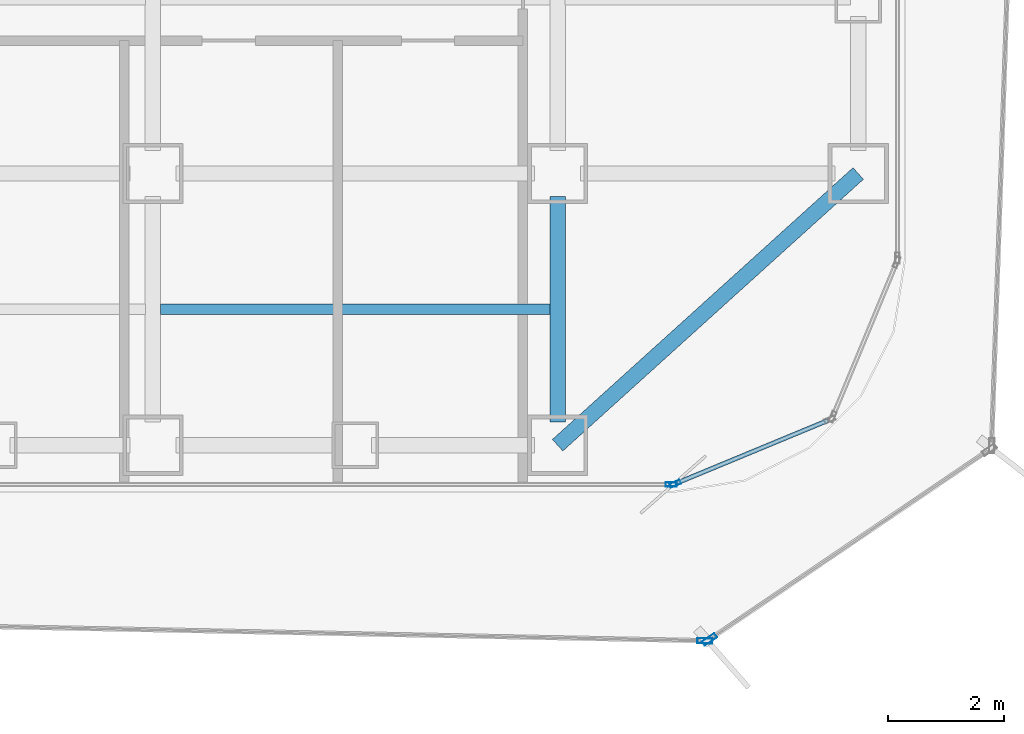
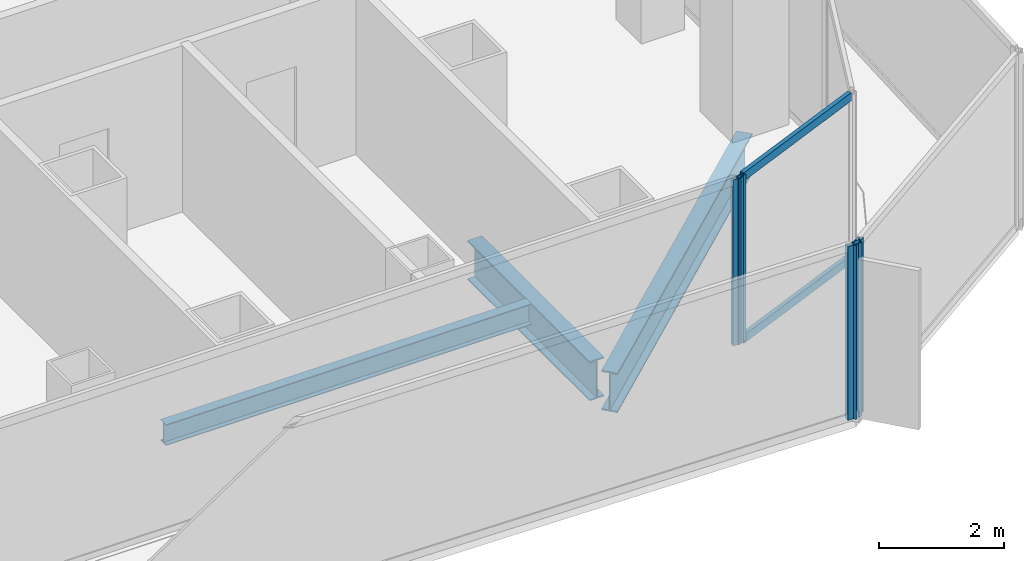
# One storey, part 6 of 22: 6 members, 3 beams, 4 elements without a shape of their own.
"""IFC4 building model written with IfcOpenShell, lengths in metres."""

from ifc_helpers import new_model, si_unit, direction, frame, origin, origin_2d, place, context, subcontext, project, spatial, hollow_rectangle, i_section, extrude, source, transform, mapped, material, layer, layer_set, material_profile, profile_set, type_object, element, aggregate, save


model = new_model("IFC4")

# Units and contexts
model_context = context("Model", 3, precision=1e-05, world=origin(), true_north=direction((0.0, 1.0)))
body_context = subcontext(model_context, "Body", "Model", "MODEL_VIEW")
ifc_project = project(units=[si_unit("LENGTHUNIT", "METRE"), si_unit("AREAUNIT", "SQUARE_METRE"), si_unit("VOLUMEUNIT", "CUBIC_METRE"), si_unit("PLANEANGLEUNIT", "RADIAN"), si_unit("MASSUNIT", "GRAM", prefix="KILO")], contexts=[model_context])

# Site, building, storey
site_placement = place(None, origin())
site = spatial("IfcSite", under=ifc_project, at=site_placement, CompositionType="ELEMENT")
building_placement = place(site_placement, origin())
building = spatial("IfcBuilding", under=site, at=building_placement, Name="Kolveth Station Tower", CompositionType="ELEMENT")
storey_placement = place(building_placement, frame((0.0, 0.0, 84.60009765625)))
storey = spatial("IfcBuildingStorey", under=building, at=storey_placement, Name="L22", CompositionType="ELEMENT", Elevation=84.60009765625)

# Beams
ifc_material_1 = material(Name="Steel S355", Category="steel")
ifc_material_profile_1 = material_profile(ifc_material_1, i_section(OverallWidth=0.26904296875, OverallDepth=0.77490234375, WebThickness=0.01708984375, FlangeThickness=0.0283203125, at=origin_2d()), Name="W760x220")
ifc_profile_set_1 = profile_set([ifc_material_profile_1], Name="Steel S355")
beam_type_1 = type_object("IfcBeamType", Name="Beam_SP1", PredefinedType="SPANDREL", material=ifc_profile_set_1)
shared_shape_1 = source(origin(), body_context, "Body", "SweptSolid", [
    extrude(i_section(OverallWidth=0.26904296875, OverallDepth=0.77490234375, WebThickness=0.01708984375, FlangeThickness=0.0283203125, at=origin_2d()), origin(), (0.0, 0.0, 1.0), 7.00927734375),
])
beam_1_placement = place(storey_placement, frame((41.0, 0.800048828125, -0.66748046875), z_axis=(0.741874009795, 0.670539300557, 0.0), x_axis=(-0.670539300557, 0.741874009795, 0.0)))
element("IfcBeam", 1, at=beam_1_placement, inside=storey, type_object=beam_type_1, Name="L22 Corner Edge Girder BM-L22-CNR-SE", PredefinedType="SPANDREL", context=body_context, shape_type="MappedRepresentation", body=[
    mapped(shared_shape_1, transform((0.0, 0.0, 0.0), x_axis=(1.0, 0.0, 0.0), y_axis=(0.0, 1.0, 0.0), z_axis=(0.0, 0.0, 1.0), scale=1.0)),
])
ifc_material_profile_2 = material_profile(ifc_material_1, i_section(OverallWidth=0.26708984375, OverallDepth=0.76611328125, WebThickness=0.014892578125, FlangeThickness=0.023681640625, at=origin_2d()), Name="W760x185")
ifc_profile_set_2 = profile_set([ifc_material_profile_2], Name="Steel S355")
beam_type_2 = type_object("IfcBeamType", Name="Beam_B3", PredefinedType="BEAM", material=ifc_profile_set_2)
shared_shape_2 = source(origin(), body_context, "Body", "SweptSolid", [
    extrude(i_section(OverallWidth=0.26708984375, OverallDepth=0.76611328125, WebThickness=0.014892578125, FlangeThickness=0.023681640625, at=origin_2d()), origin(), (0.0, 0.0, 1.0), 3.900146484375),
])
beam_2_placement = place(storey_placement, frame((41.0, 1.199951171875, -0.6630859375), z_axis=(0.0, 1.0, 0.0), x_axis=(-1.0, 0.0, 0.0)))
element("IfcBeam", 2, at=beam_2_placement, inside=storey, type_object=beam_type_2, Name="L22 Primary Girder BM-L22-GX410-1", PredefinedType="BEAM", context=body_context, shape_type="MappedRepresentation", body=[
    mapped(shared_shape_2, transform((0.0, 0.0, 0.0), x_axis=(1.0, 0.0, 0.0), y_axis=(0.0, 1.0, 0.0), z_axis=(0.0, 0.0, 1.0), scale=1.0)),
])
ifc_material_profile_3 = material_profile(ifc_material_1, i_section(OverallWidth=0.177978515625, OverallDepth=0.406982421875, WebThickness=0.0078125, FlangeThickness=0.0126953125, at=origin_2d()), Name="W410x60")
ifc_profile_set_3 = profile_set([ifc_material_profile_3], Name="Steel S355")
beam_type_3 = type_object("IfcBeamType", Name="Beam_J1", PredefinedType="JOIST", material=ifc_profile_set_3)
shared_shape_3 = source(origin(), body_context, "Body", "SweptSolid", [
    extrude(i_section(OverallWidth=0.177978515625, OverallDepth=0.406982421875, WebThickness=0.0078125, FlangeThickness=0.0126953125, at=origin_2d()), origin(), (0.0, 0.0, 1.0), 6.73681640625),
])
beam_3_placement = place(storey_placement, frame((34.131591796875, 3.14990234375, -0.483642578125), z_axis=(1.0, 0.0, 0.0), x_axis=(0.0, 1.0, 0.0)))
element("IfcBeam", 3, at=beam_3_placement, inside=storey, type_object=beam_type_3, Name="L22 Secondary Joist JST-L22-6-1", PredefinedType="JOIST", context=body_context, shape_type="MappedRepresentation", body=[
    mapped(shared_shape_3, transform((0.0, 0.0, 0.0), x_axis=(1.0, 0.0, 0.0), y_axis=(0.0, 1.0, 0.0), z_axis=(0.0, 0.0, 1.0), scale=1.0)),
])

# Curtain wall, members
ifc_material_2 = material(Name="Aluminium 6063-T6 and low-E dark glass", Category="aluminium")
ifc_layer_1 = layer(ifc_material_2, 0.179931640625)
ifc_layer_set_1 = layer_set([ifc_layer_1], Name="Aluminium 6063-T6 and low-E dark glass")
curtain_wall_type_1 = type_object("IfcCurtainWallType", Name="CurtainWall_CW-Z1", PredefinedType="NOTDEFINED", material=ifc_layer_set_1)
curtain_wall_1_placement = place(storey_placement, origin())
curtain_wall_1 = element("IfcCurtainWall", 4, at=curtain_wall_1_placement, inside=storey, type_object=curtain_wall_type_1, Name="L22 Inner Thermal Curtain Wall 1", PredefinedType="NOTDEFINED")
ifc_material_3 = material(Name="Black anodized aluminium 6063-T6", Category="aluminium")
ifc_material_profile_4 = material_profile(ifc_material_3, hollow_rectangle(XDim=0.074951171875, YDim=0.159912109375, WallThickness=0.0048828125, at=origin_2d()), Name="ALU-75x160x5")
ifc_profile_set_4 = profile_set([ifc_material_profile_4], Name="Black anodized aluminium 6063-T6")
member_type_1 = type_object("IfcMemberType", Name="Transom_TR1", PredefinedType="USERDEFINED", material=ifc_profile_set_4)
shared_shape_4 = source(origin(), body_context, "Body", "SweptSolid", [
    extrude(hollow_rectangle(XDim=0.074951171875, YDim=0.159912109375, WallThickness=0.0048828125, at=origin_2d()), origin(), (0.0, 0.0, 1.0), 2.819580078125),
])
member_1_placement = place(storey_placement, frame((43.0693359375, 0.148681640625, 0.037353515625), z_axis=(0.923869084389, 0.382708655389, 0.0), x_axis=(-0.382708655389, 0.923869084389, 0.0)))
member_1 = element("IfcMember", 5, at=member_1_placement, type_object=member_type_1, Name="CW-Z1 transom 1.1", ObjectType="TRANSOM", PredefinedType="USERDEFINED", context=body_context, shape_type="MappedRepresentation", body=[
    mapped(shared_shape_4, transform((0.0, 0.0, 0.0), x_axis=(1.0, 0.0, 0.0), y_axis=(0.0, 1.0, 0.0), z_axis=(0.0, 0.0, 1.0), scale=1.0)),
])
member_2_placement = place(storey_placement, frame((43.0693359375, 0.148681640625, 3.202392578125), z_axis=(0.923869084389, 0.382708655389, 0.0), x_axis=(-0.382708655389, 0.923869084389, 0.0)))
member_2 = element("IfcMember", 6, at=member_2_placement, type_object=member_type_1, Name="CW-Z1 transom 1.2", ObjectType="TRANSOM", PredefinedType="USERDEFINED", context=body_context, shape_type="MappedRepresentation", body=[
    mapped(shared_shape_4, transform((0.0, 0.0, 0.0), x_axis=(1.0, 0.0, 0.0), y_axis=(0.0, 1.0, 0.0), z_axis=(0.0, 0.0, 1.0), scale=1.0)),
])

# Curtain wall, member
ifc_material_4 = material(Name="Black anodized aluminium 6063-T6 and dark solar glass", Category="aluminium")
ifc_layer_2 = layer(ifc_material_4, 0.159912109375)
ifc_layer_set_2 = layer_set([ifc_layer_2], Name="Black anodized aluminium 6063-T6 and dark solar glass")
curtain_wall_type_2 = type_object("IfcCurtainWallType", Name="OUTER SKIN CW-OS", PredefinedType="NOTDEFINED", material=ifc_layer_set_2)
curtain_wall_2_placement = place(storey_placement, origin())
curtain_wall_2 = element("IfcCurtainWall", 7, at=curtain_wall_2_placement, inside=storey, type_object=curtain_wall_type_2, Name="L22 Outer Ventilated Skin Curtain Wall 1", PredefinedType="NOTDEFINED")
ifc_material_profile_5 = material_profile(ifc_material_3, hollow_rectangle(XDim=0.090087890625, YDim=0.260009765625, WallThickness=0.0048828125, at=origin_2d()), Name="ALU-90x260x5")
ifc_profile_set_5 = profile_set([ifc_material_profile_5], Name="Black anodized aluminium 6063-T6")
member_type_2 = type_object("IfcMemberType", Name="FIN MULLION ML-OS", PredefinedType="MULLION", material=ifc_profile_set_5)
shared_shape_5 = source(origin(), body_context, "Body", "SweptSolid", [
    extrude(hollow_rectangle(XDim=0.090087890625, YDim=0.260009765625, WallThickness=0.0048828125, at=origin_2d()), origin(), (0.0, 0.0, 1.0), 3.389892578125),
])
member_3_placement = place(storey_placement, frame((43.63037109375, -2.559814453125, 0.0), z_axis=(0.0, 0.0, 1.0), x_axis=(-0.561141488996, 0.827719897868, 0.0)))
member_3 = element("IfcMember", 8, at=member_3_placement, type_object=member_type_2, Name="CW-OS mullion 1", PredefinedType="MULLION", context=body_context, shape_type="MappedRepresentation", body=[
    mapped(shared_shape_5, transform((0.0, 0.0, 0.0), x_axis=(1.0, 0.0, 0.0), y_axis=(0.0, 1.0, 0.0), z_axis=(0.0, 0.0, 1.0), scale=1.0)),
])
aggregate(curtain_wall_2, [member_3])

curtain_wall_3_placement = place(storey_placement, origin())
curtain_wall_3 = element("IfcCurtainWall", 9, at=curtain_wall_3_placement, inside=storey, type_object=curtain_wall_type_2, Name="L22 Outer Ventilated Skin Curtain Wall 8", PredefinedType="NOTDEFINED")
member_4_placement = place(storey_placement, frame((43.548095703125, -2.584228515625, 0.0), z_axis=(0.0, 0.0, 1.0), x_axis=(0.019773687894, 0.99980448152, 0.0)))
member_4 = element("IfcMember", 10, at=member_4_placement, type_object=member_type_2, Name="CW-OS mullion 2", PredefinedType="MULLION", context=body_context, shape_type="MappedRepresentation", body=[
    mapped(shared_shape_5, transform((0.0, 0.0, 0.0), x_axis=(1.0, 0.0, 0.0), y_axis=(0.0, 1.0, 0.0), z_axis=(0.0, 0.0, 1.0), scale=1.0)),
])
aggregate(curtain_wall_3, [member_4])

# Member
ifc_material_profile_6 = material_profile(ifc_material_3, hollow_rectangle(XDim=0.074951171875, YDim=0.18994140625, WallThickness=0.0048828125, at=origin_2d()), Name="ALU-75x190x5")
ifc_profile_set_6 = profile_set([ifc_material_profile_6], Name="Black anodized aluminium 6063-T6")
member_type_3 = type_object("IfcMemberType", Name="Mullion_ML1", PredefinedType="MULLION", material=ifc_profile_set_6)
shared_shape_6 = source(origin(), body_context, "Body", "SweptSolid", [
    extrude(hollow_rectangle(XDim=0.074951171875, YDim=0.18994140625, WallThickness=0.0048828125, at=origin_2d()), origin(), (0.0, 0.0, 1.0), 3.239990234375),
])
member_5_placement = place(storey_placement, frame((43.03466796875, 0.13427734375, 0.0), z_axis=(0.0, 0.0, 1.0), x_axis=(-0.382672990201, 0.923883857728, 0.0)))
member_5 = element("IfcMember", 11, at=member_5_placement, type_object=member_type_3, Name="CW-Z1 mullion 1", PredefinedType="MULLION", context=body_context, shape_type="MappedRepresentation", body=[
    mapped(shared_shape_6, transform((0.0, 0.0, 0.0), x_axis=(1.0, 0.0, 0.0), y_axis=(0.0, 1.0, 0.0), z_axis=(0.0, 0.0, 1.0), scale=1.0)),
])

aggregate(curtain_wall_1, [member_5, member_1, member_2])

# Curtain wall, member
curtain_wall_4_placement = place(storey_placement, origin())
curtain_wall_4 = element("IfcCurtainWall", 12, at=curtain_wall_4_placement, inside=storey, type_object=curtain_wall_type_1, Name="L22 Inner Thermal Curtain Wall 12", PredefinedType="NOTDEFINED")
member_6_placement = place(storey_placement, frame((42.96240234375, 0.1201171875, 0.0), z_axis=(0.0, 0.0, 1.0), x_axis=(0.0, 1.0, 0.0)))
member_6 = element("IfcMember", 13, at=member_6_placement, type_object=member_type_3, Name="CW-Z1 mullion 3", PredefinedType="MULLION", context=body_context, shape_type="MappedRepresentation", body=[
    mapped(shared_shape_6, transform((0.0, 0.0, 0.0), x_axis=(1.0, 0.0, 0.0), y_axis=(0.0, 1.0, 0.0), z_axis=(0.0, 0.0, 1.0), scale=1.0)),
])
aggregate(curtain_wall_4, [member_6])

save(model, "model.ifc")
